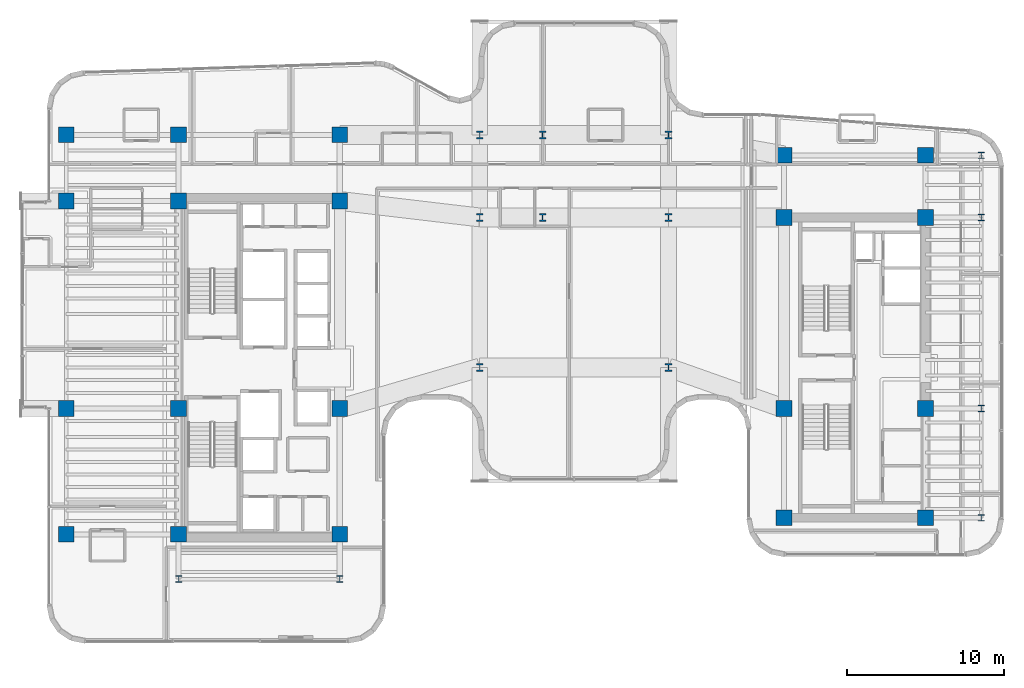
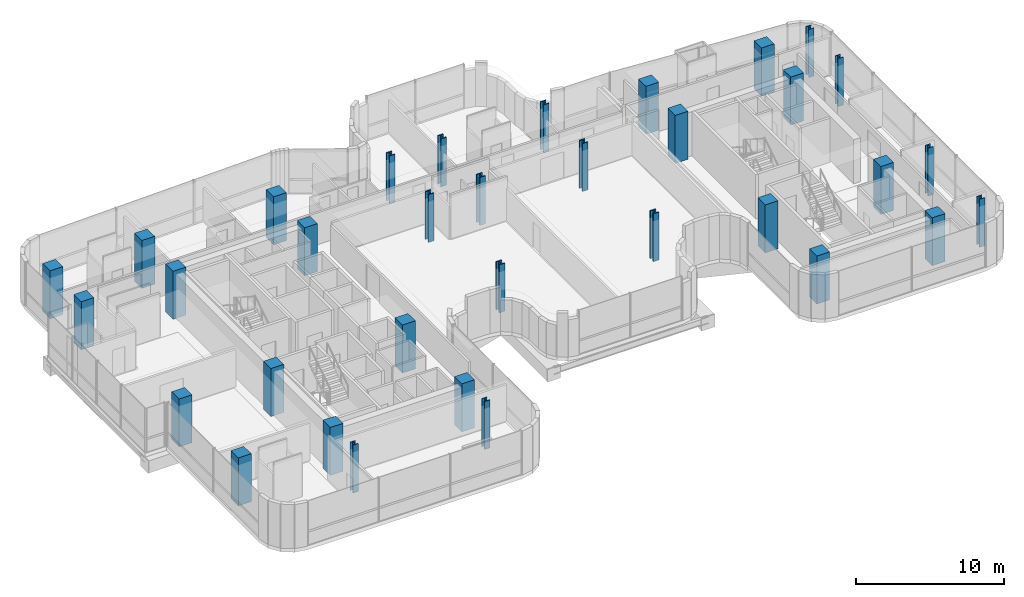
# One storey, part 1 of 36: 34 columns.
"""IFC4 building model written with IfcOpenShell, lengths in metres."""

from ifc_helpers import new_model, si_unit, direction, frame, origin, origin_2d, place, context, subcontext, project, spatial, rectangle, i_section, extrude, source, transform, mapped, material, material_profile, profile_set, type_object, element, save


model = new_model("IFC4")

# Units and contexts
model_context = context("Model", 3, precision=1e-05, world=origin(), true_north=direction((0.0, 1.0)))
body_context = subcontext(model_context, "Body", "Model", "MODEL_VIEW")
ifc_project = project(units=[si_unit("LENGTHUNIT", "METRE"), si_unit("AREAUNIT", "SQUARE_METRE"), si_unit("VOLUMEUNIT", "CUBIC_METRE"), si_unit("PLANEANGLEUNIT", "RADIAN"), si_unit("MASSUNIT", "GRAM", prefix="KILO")], contexts=[model_context])

# Site, building, storey
site_placement = place(None, origin())
site = spatial("IfcSite", under=ifc_project, at=site_placement, CompositionType="ELEMENT")
building_placement = place(site_placement, origin())
building = spatial("IfcBuilding", under=site, at=building_placement, Name="Valdorenza Pilgrim Sanctuary Tower", CompositionType="ELEMENT")
storey_placement = place(building_placement, frame((0.0, 0.0, 176.550048828125)))
storey = spatial("IfcBuildingStorey", under=building, at=storey_placement, Name="L45", CompositionType="ELEMENT", Elevation=176.550048828125)

# Columns
ifc_material_1 = material(Name="Concrete C50/60", Category="concrete")
ifc_material_profile_1 = material_profile(ifc_material_1, rectangle(XDim=1.0, YDim=1.0, at=origin_2d()), Name="RC 1000x1000")
ifc_profile_set_1 = profile_set([ifc_material_profile_1], Name="Concrete C50/60")
column_type_1 = type_object("IfcColumnType", Name="COL-Z3-1000", PredefinedType="COLUMN", material=ifc_profile_set_1)
shared_shape_1 = source(origin(), body_context, "Body", "SweptSolid", [
    extrude(rectangle(XDim=1.0, YDim=1.0, at=origin_2d()), origin(), (0.0, 0.0, 1.0), 3.949951171875),
])
for number, where, z_axis, x_axis, name in (
    (1, (-29.800048828125, -10.60009765625, 0.0), (0.0, 0.0, 1.0), (1.0, 0.0, 0.0), "L45 Perimeter Column WA-W-S1"),
    (2, (-22.64990234375, -10.60009765625, 0.0), (0.0, 0.0, 1.0), (1.0, 0.0, 0.0), "L45 Column CA-W-S1"),
    (3, (-12.39990234375, -10.60009765625, 0.0), (0.0, 0.0, 1.0), (1.0, 0.0, 0.0), "L45 Column CA-E-S1"),
    (4, (-29.800048828125, -2.60009765625, 0.0), (0.0, 0.0, 1.0), (1.0, 0.0, 0.0), "L45 Perimeter Column WA-W-M0"),
    (5, (-22.64990234375, -2.60009765625, 0.0), (0.0, 0.0, 1.0), (1.0, 0.0, 0.0), "L45 Column CA-W-M0"),
    (6, (-12.39990234375, -2.60009765625, 0.0), (0.0, 0.0, 1.0), (1.0, 0.0, 0.0), "L45 Column CA-E-M0"),
    (7, (-29.800048828125, 10.60009765625, 0.0), (0.0, 0.0, 1.0), (1.0, 0.0, 0.0), "L45 Perimeter Column WA-W-N1"),
    (8, (-22.64990234375, 10.60009765625, 0.0), (0.0, 0.0, 1.0), (1.0, 0.0, 0.0), "L45 Column CA-W-N1"),
    (9, (-12.39990234375, 10.60009765625, 0.0), (0.0, 0.0, 1.0), (1.0, 0.0, 0.0), "L45 Column CA-E-N1"),
    (10, (-29.800048828125, 14.800048828125, 0.0), (0.0, 0.0, 1.0), (1.0, 0.0, 0.0), "L45 Perimeter Column WA-W-N2"),
    (11, (-22.64990234375, 14.800048828125, 0.0), (0.0, 0.0, 1.0), (1.0, 0.0, 0.0), "L45 Column CA-W-N2"),
    (12, (-12.39990234375, 14.800048828125, 0.0), (0.0, 0.0, 1.0), (1.0, 0.0, 0.0), "L45 Column CA-E-N2"),
    (13, (15.85009765625, -9.550048828125, 0.0), (0.0, 0.0, 1.0), (1.0, 0.0, 0.0), "L45 Column CB-W-S1"),
    (14, (24.85009765625, -9.550048828125, 0.0), (0.0, 0.0, 1.0), (1.0, 0.0, 0.0), "L45 Column CB-E-S1"),
    (15, (15.85009765625, -2.60009765625, 0.0), (0.0, 0.0, 1.0), (1.0, 0.0, 0.0), "L45 Column CB-W-M0"),
    (16, (24.85009765625, -2.60009765625, 0.0), (0.0, 0.0, 1.0), (1.0, 0.0, 0.0), "L45 Column CB-E-M0"),
    (17, (15.85009765625, 9.550048828125, 0.0), (0.0, 0.0, 1.0), (1.0, 0.0, 0.0), "L45 Column CB-W-N1"),
    (18, (24.85009765625, 9.550048828125, 0.0), (0.0, 0.0, 1.0), (1.0, 0.0, 0.0), "L45 Column CB-E-N1"),
    (19, (15.85009765625, 13.5, 0.0), (0.0, 0.0, 1.0), (1.0, 0.0, 0.0), "L45 Column CB-W-N2"),
    (20, (24.85009765625, 13.5, 0.0), (0.0, 0.0, 1.0), (1.0, 0.0, 0.0), "L45 Column CB-E-N2"),
):
    element("IfcColumn", number, at=place(storey_placement, frame(where, z_axis=z_axis, x_axis=x_axis)), inside=storey, type_object=column_type_1, Name=name, PredefinedType="COLUMN", context=body_context, shape_type="MappedRepresentation", body=[
        mapped(shared_shape_1, transform((0.0, 0.0, 0.0), x_axis=(1.0, 0.0, 0.0), y_axis=(0.0, 1.0, 0.0), z_axis=(0.0, 0.0, 1.0), scale=1.0)),
    ])
ifc_material_2 = material(Name="Steel ASTM A992 Grade 50", Category="steel")
ifc_material_profile_2 = material_profile(ifc_material_2, i_section(OverallWidth=0.412109375, OverallDepth=0.43505859375, WebThickness=0.035888671875, FlangeThickness=0.057373046875, at=origin_2d()), Name="W14X311")
ifc_profile_set_2 = profile_set([ifc_material_profile_2], Name="Steel ASTM A992 Grade 50")
column_type_2 = type_object("IfcColumnType", Name="COL-STL-W311", PredefinedType="COLUMN", material=ifc_profile_set_2)
shared_shape_2 = source(origin(), body_context, "Body", "SweptSolid", [
    extrude(i_section(OverallWidth=0.412109375, OverallDepth=0.43505859375, WebThickness=0.035888671875, FlangeThickness=0.057373046875, at=origin_2d()), origin(), (0.0, 0.0, 1.0), 3.949951171875),
])
for number, where, z_axis, x_axis, name in (
    (21, (-22.64990234375, -13.449951171875, 0.0), (0.0, 0.0, 1.0), (1.0, 0.0, 0.0), "L45 Column WA-S-W"),
    (22, (-12.39990234375, -13.449951171875, 0.0), (0.0, 0.0, 1.0), (1.0, 0.0, 0.0), "L45 Column WA-S-E"),
    (23, (28.39990234375, -9.550048828125, 0.0), (0.0, 0.0, 1.0), (1.0, 0.0, 0.0), "L45 Perimeter Column WB-E-S1"),
    (24, (28.39990234375, -2.60009765625, 0.0), (0.0, 0.0, 1.0), (1.0, 0.0, 0.0), "L45 Perimeter Column WB-E-M0"),
    (25, (28.39990234375, 9.550048828125, 0.0), (0.0, 0.0, 1.0), (1.0, 0.0, 0.0), "L45 Perimeter Column WB-E-N1"),
    (26, (28.39990234375, 13.5, 0.0), (0.0, 0.0, 1.0), (1.0, 0.0, 0.0), "L45 Perimeter Column WB-E-N2"),
):
    element("IfcColumn", number, at=place(storey_placement, frame(where, z_axis=z_axis, x_axis=x_axis)), inside=storey, type_object=column_type_2, Name=name, PredefinedType="COLUMN", context=body_context, shape_type="MappedRepresentation", body=[
        mapped(shared_shape_2, transform((0.0, 0.0, 0.0), x_axis=(1.0, 0.0, 0.0), y_axis=(0.0, 1.0, 0.0), z_axis=(0.0, 0.0, 1.0), scale=1.0)),
    ])
ifc_material_profile_3 = material_profile(ifc_material_2, i_section(OverallWidth=0.431884765625, OverallDepth=0.498046875, WebThickness=0.0556640625, FlangeThickness=0.0888671875, at=origin_2d()), Name="W14X500")
ifc_profile_set_3 = profile_set([ifc_material_profile_3], Name="Steel ASTM A992 Grade 50")
column_type_3 = type_object("IfcColumnType", Name="COL-STL-W500", PredefinedType="COLUMN", material=ifc_profile_set_3)
shared_shape_3 = source(origin(), body_context, "Body", "SweptSolid", [
    extrude(i_section(OverallWidth=0.431884765625, OverallDepth=0.498046875, WebThickness=0.0556640625, FlangeThickness=0.0888671875, at=origin_2d()), origin(), (0.0, 0.0, 1.0), 3.949951171875),
])
for number, where, z_axis, x_axis, name in (
    (27, (-3.5, 0.0, 0.0), (0.0, 0.0, 1.0), (1.0, 0.0, 0.0), "L45 Column PRY-W0"),
    (28, (-3.5, 9.550048828125, 0.0), (0.0, 0.0, 1.0), (1.0, 0.0, 0.0), "L45 Column PRY-W1"),
    (29, (-3.5, 14.800048828125, 0.0), (0.0, 0.0, 1.0), (1.0, 0.0, 0.0), "L45 Column PRY-W2"),
    (30, (8.5, 0.0, 0.0), (0.0, 0.0, 1.0), (1.0, 0.0, 0.0), "L45 Column PRY-E0"),
    (31, (8.5, 9.550048828125, 0.0), (0.0, 0.0, 1.0), (1.0, 0.0, 0.0), "L45 Column PRY-E1"),
    (32, (8.5, 14.800048828125, 0.0), (0.0, 0.0, 1.0), (1.0, 0.0, 0.0), "L45 Column PRY-E2"),
    (33, (0.5, 9.550048828125, 0.0), (0.0, 0.0, 1.0), (1.0, 0.0, 0.0), "L45 Column PRY-TB1"),
    (34, (0.5, 14.800048828125, 0.0), (0.0, 0.0, 1.0), (1.0, 0.0, 0.0), "L45 Column PRY-TB2"),
):
    element("IfcColumn", number, at=place(storey_placement, frame(where, z_axis=z_axis, x_axis=x_axis)), inside=storey, type_object=column_type_3, Name=name, PredefinedType="COLUMN", context=body_context, shape_type="MappedRepresentation", body=[
        mapped(shared_shape_3, transform((0.0, 0.0, 0.0), x_axis=(1.0, 0.0, 0.0), y_axis=(0.0, 1.0, 0.0), z_axis=(0.0, 0.0, 1.0), scale=1.0)),
    ])

save(model, "model.ifc")
